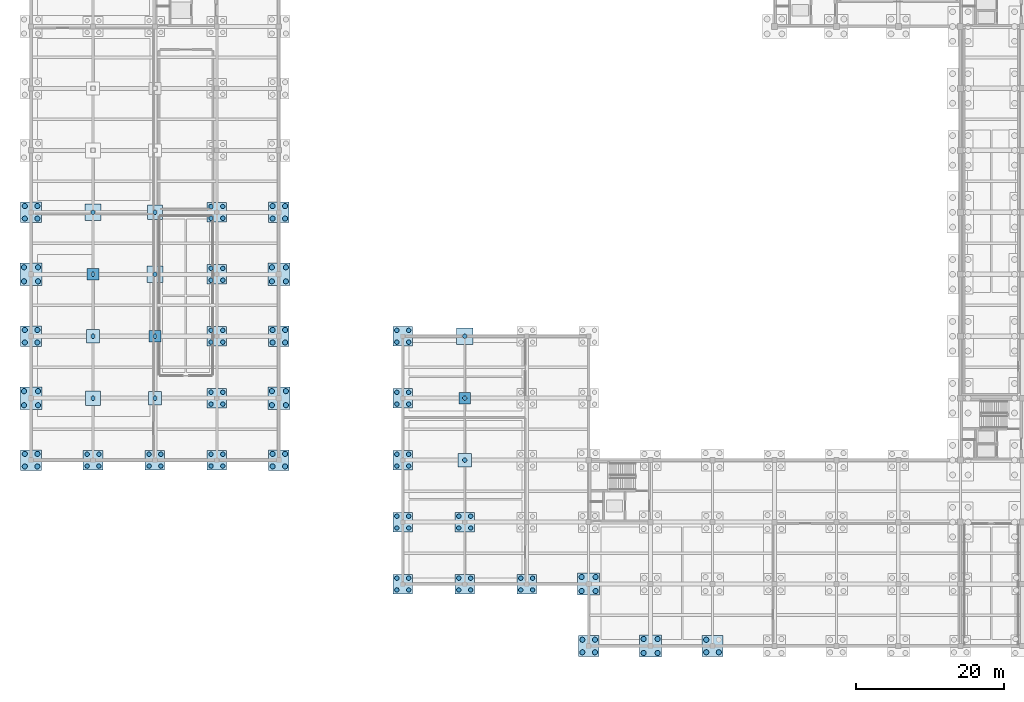
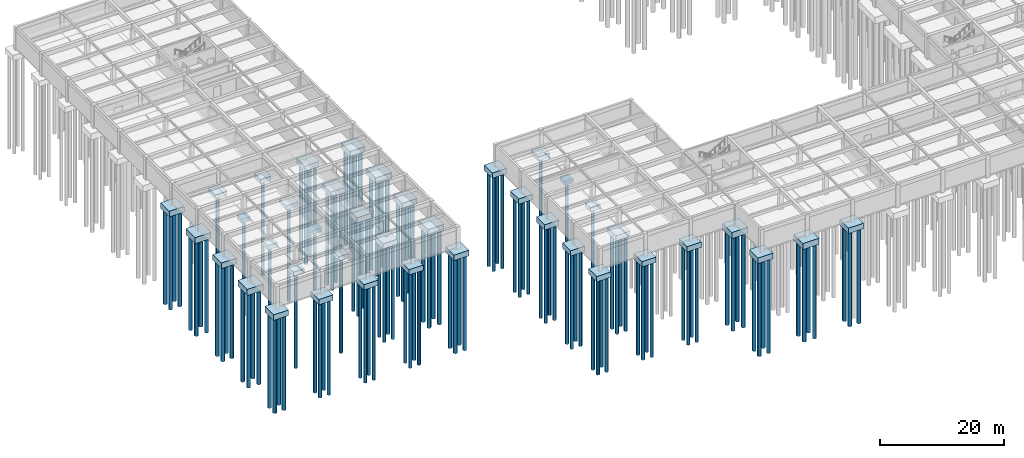
# One storey, part 1 of 33: 126 piles, 40 footings.
"""IFC4 building model written with IfcOpenShell, lengths in metres."""

from ifc_helpers import new_model, si_unit, direction, frame, origin, origin_2d, place, context, subcontext, project, spatial, rectangle, circle, extrude, material, material_profile, profile_set, type_object, element, save


model = new_model("IFC4")

# Units and contexts
model_context = context("Model", 3, precision=1e-05, world=origin(), true_north=direction((0.0, 1.0)))
body_context = subcontext(model_context, "Body", "Model", "MODEL_VIEW")
ifc_project = project(units=[si_unit("LENGTHUNIT", "METRE"), si_unit("AREAUNIT", "SQUARE_METRE"), si_unit("VOLUMEUNIT", "CUBIC_METRE"), si_unit("PLANEANGLEUNIT", "RADIAN"), si_unit("MASSUNIT", "GRAM", prefix="KILO")], contexts=[model_context])

# Site, building, storey
site_placement = place(None, origin())
site = spatial("IfcSite", under=ifc_project, at=site_placement, CompositionType="ELEMENT")
building_placement = place(site_placement, origin())
building = spatial("IfcBuilding", under=site, at=building_placement, Name="Kveldsbrygga Polytechnic", CompositionType="ELEMENT")
storey_placement = place(building_placement, frame((0.0, 0.0, -4.419921875)))
storey = spatial("IfcBuildingStorey", under=building, at=storey_placement, Name="B1", CompositionType="ELEMENT", Elevation=-4.419921875)

# Footings
ifc_material_1 = material(Name="Concrete C45/55", Category="concrete")
footing_type_1 = type_object("IfcFootingType", Name="PC-4P-CMP", PredefinedType="PILE_CAP", material=ifc_material_1)
for number, where, z_axis, x_axis, name in (
    (1, (8.39990234375, 25.199951171875, -1.4501953125), (0.0, 0.0, 1.0), (1.0, 0.0, 0.0), "Foundation FND-01-03"),
    (2, (16.800048828125, 25.199951171875, -1.4501953125), (0.0, 0.0, 1.0), (1.0, 0.0, 0.0), "Foundation FND-02-03"),
    (3, (25.199951171875, 25.199951171875, -1.4501953125), (0.0, 0.0, 1.0), (1.0, 0.0, 0.0), "Foundation FND-03-03"),
    (4, (25.199951171875, 33.60009765625, -1.4501953125), (0.0, 0.0, 1.0), (1.0, 0.0, 0.0), "Foundation FND-03-04"),
    (5, (25.199951171875, 42.0, -1.4501953125), (0.0, 0.0, 1.0), (1.0, 0.0, 0.0), "Foundation FND-03-05"),
    (6, (25.199951171875, 50.39990234375, -1.4501953125), (0.0, 0.0, 1.0), (1.0, 0.0, 0.0), "Foundation FND-03-06"),
    (7, (25.199951171875, 58.800048828125, -1.4501953125), (0.0, 0.0, 1.0), (1.0, 0.0, 0.0), "Foundation FND-03-07"),
    (8, (50.39990234375, 8.39990234375, -1.4501953125), (0.0, 0.0, 1.0), (1.0, 0.0, 0.0), "Foundation FND-06-01"),
    (9, (50.39990234375, 16.800048828125, -1.4501953125), (0.0, 0.0, 1.0), (1.0, 0.0, 0.0), "Foundation FND-06-02"),
    (10, (50.39990234375, 25.199951171875, -1.4501953125), (0.0, 0.0, 1.0), (1.0, 0.0, 0.0), "Foundation FND-06-03"),
    (11, (50.39990234375, 33.60009765625, -1.4501953125), (0.0, 0.0, 1.0), (1.0, 0.0, 0.0), "Foundation FND-06-04"),
    (12, (50.39990234375, 42.0, -1.4501953125), (0.0, 0.0, 1.0), (1.0, 0.0, 0.0), "Foundation FND-06-05"),
    (13, (58.800048828125, 8.39990234375, -1.4501953125), (0.0, 0.0, 1.0), (1.0, 0.0, 0.0), "Foundation FND-07-01"),
    (14, (58.800048828125, 16.800048828125, -1.4501953125), (0.0, 0.0, 1.0), (1.0, 0.0, 0.0), "Foundation FND-07-02"),
    (15, (67.199951171875, 8.39990234375, -1.4501953125), (0.0, 0.0, 1.0), (1.0, 0.0, 0.0), "Foundation FND-08-01"),
):
    element("IfcFooting", number, at=place(storey_placement, frame(where, z_axis=z_axis, x_axis=x_axis)), inside=storey, type_object=footing_type_1, Name=name, PredefinedType="PILE_CAP", context=body_context, shape_type="SweptSolid", body=[
        extrude(rectangle(XDim=2.64990234375, YDim=2.64990234375, at=origin_2d()), origin(), (0.0, 0.0, 1.0), 1.050048828125),
    ])
footing_type_2 = type_object("IfcFootingType", Name="PC-4P-MED", PredefinedType="PILE_CAP", material=ifc_material_1)
for number, where, z_axis, x_axis, name in (
    (16, (0.0, 25.199951171875, -1.500244140625), (0.0, 0.0, 1.0), (1.0, 0.0, 0.0), "Foundation FND-00-03"),
    (17, (0.0, 42.0, -1.500244140625), (0.0, 0.0, 1.0), (1.0, 0.0, 0.0), "Foundation FND-00-05"),
    (18, (0.0, 58.800048828125, -1.500244140625), (0.0, 0.0, 1.0), (1.0, 0.0, 0.0), "Foundation FND-00-07"),
    (19, (33.60009765625, 25.199951171875, -1.500244140625), (0.0, 0.0, 1.0), (1.0, 0.0, 0.0), "Foundation FND-04-03"),
    (20, (33.60009765625, 42.0, -1.500244140625), (0.0, 0.0, 1.0), (1.0, 0.0, 0.0), "Foundation FND-04-05"),
    (21, (33.60009765625, 58.800048828125, -1.500244140625), (0.0, 0.0, 1.0), (1.0, 0.0, 0.0), "Foundation FND-04-07"),
    (22, (75.60009765625, 0.0, -1.500244140625), (0.0, 0.0, 1.0), (1.0, 0.0, 0.0), "Foundation FND-09-00"),
    (23, (92.39990234375, 0.0, -1.500244140625), (0.0, 0.0, 1.0), (1.0, 0.0, 0.0), "Foundation FND-11-00"),
):
    element("IfcFooting", number, at=place(storey_placement, frame(where, z_axis=z_axis, x_axis=x_axis)), inside=storey, type_object=footing_type_2, Name=name, PredefinedType="PILE_CAP", context=body_context, shape_type="SweptSolid", body=[
        extrude(rectangle(XDim=2.800048828125, YDim=2.800048828125, at=origin_2d()), origin(), (0.0, 0.0, 1.0), 1.10009765625),
    ])
footing_type_3 = type_object("IfcFootingType", Name="PC-4P-STD", PredefinedType="PILE_CAP", material=ifc_material_1)
for number, where, z_axis, x_axis, name in (
    (24, (0.0, 33.60009765625, -1.60009765625), (0.0, 0.0, 1.0), (1.0, 0.0, 0.0), "Foundation FND-00-04"),
    (25, (0.0, 50.39990234375, -1.60009765625), (0.0, 0.0, 1.0), (1.0, 0.0, 0.0), "Foundation FND-00-06"),
    (26, (33.60009765625, 33.60009765625, -1.60009765625), (0.0, 0.0, 1.0), (1.0, 0.0, 0.0), "Foundation FND-04-04"),
    (27, (33.60009765625, 50.39990234375, -1.60009765625), (0.0, 0.0, 1.0), (1.0, 0.0, 0.0), "Foundation FND-04-06"),
    (28, (75.60009765625, 8.39990234375, -1.60009765625), (0.0, 0.0, 1.0), (1.0, 0.0, 0.0), "Foundation FND-09-01"),
    (29, (84.0, 0.0, -1.60009765625), (0.0, 0.0, 1.0), (1.0, 0.0, 0.0), "Foundation FND-10-00"),
):
    element("IfcFooting", number, at=place(storey_placement, frame(where, z_axis=z_axis, x_axis=x_axis)), inside=storey, type_object=footing_type_3, Name=name, PredefinedType="PILE_CAP", context=body_context, shape_type="SweptSolid", body=[
        extrude(rectangle(XDim=3.0, YDim=3.0, at=origin_2d()), origin(), (0.0, 0.0, 1.0), 1.199951171875),
    ])
ifc_material_2 = material(Name="Concrete C35/45", Category="concrete")
footing_type_4 = type_object("IfcFootingType", Name="PF-ARCADE-A", PredefinedType="PAD_FOOTING", material=ifc_material_2)
for number, where, z_axis, x_axis, name in (
    (30, (8.39990234375, 58.800048828125, -1.2001953125), (0.0, 0.0, 1.0), (1.0, 0.0, 0.0), "Foundation FND-01-07"),
    (31, (16.800048828125, 50.39990234375, -1.2001953125), (0.0, 0.0, 1.0), (1.0, 0.0, 0.0), "Foundation FND-02-06"),
    (32, (58.800048828125, 42.0, -1.2001953125), (0.0, 0.0, 1.0), (1.0, 0.0, 0.0), "Foundation FND-07-05"),
):
    element("IfcFooting", number, at=place(storey_placement, frame(where, z_axis=z_axis, x_axis=x_axis)), inside=storey, type_object=footing_type_4, Name=name, PredefinedType="PAD_FOOTING", context=body_context, shape_type="SweptSolid", body=[
        extrude(rectangle(XDim=2.199951171875, YDim=2.199951171875, at=origin_2d()), origin(), (0.0, 0.0, 1.0), 0.800048828125),
    ])
footing_type_5 = type_object("IfcFootingType", Name="PF-ARCADE-B", PredefinedType="PAD_FOOTING", material=ifc_material_2)
for number, where, z_axis, x_axis, name in (
    (33, (8.39990234375, 42.0, -1.250244140625), (0.0, 0.0, 1.0), (1.0, 0.0, 0.0), "Foundation FND-01-05"),
    (34, (16.800048828125, 33.60009765625, -1.250244140625), (0.0, 0.0, 1.0), (1.0, 0.0, 0.0), "Foundation FND-02-04"),
    (35, (58.800048828125, 25.199951171875, -1.250244140625), (0.0, 0.0, 1.0), (1.0, 0.0, 0.0), "Foundation FND-07-03"),
):
    element("IfcFooting", number, at=place(storey_placement, frame(where, z_axis=z_axis, x_axis=x_axis)), inside=storey, type_object=footing_type_5, Name=name, PredefinedType="PAD_FOOTING", context=body_context, shape_type="SweptSolid", body=[
        extrude(rectangle(XDim=1.800048828125, YDim=1.800048828125, at=origin_2d()), origin(), (0.0, 0.0, 1.0), 0.85009765625),
    ])
footing_type_6 = type_object("IfcFootingType", Name="PF-ARCADE-C", PredefinedType="PAD_FOOTING", material=ifc_material_2)
for number, where, z_axis, x_axis, name in (
    (36, (8.39990234375, 33.60009765625, -1.300048828125), (0.0, 0.0, 1.0), (1.0, 0.0, 0.0), "Foundation FND-01-04"),
    (37, (16.800048828125, 58.800048828125, -1.300048828125), (0.0, 0.0, 1.0), (1.0, 0.0, 0.0), "Foundation FND-02-07"),
):
    element("IfcFooting", number, at=place(storey_placement, frame(where, z_axis=z_axis, x_axis=x_axis)), inside=storey, type_object=footing_type_6, Name=name, PredefinedType="PAD_FOOTING", context=body_context, shape_type="SweptSolid", body=[
        extrude(rectangle(XDim=2.0, YDim=2.0, at=origin_2d()), origin(), (0.0, 0.0, 1.0), 0.89990234375),
    ])
footing_type_7 = type_object("IfcFootingType", Name="PF-ARCADE-D", PredefinedType="PAD_FOOTING", material=ifc_material_2)
for number, where, z_axis, x_axis, name in (
    (38, (8.39990234375, 50.39990234375, -1.22021484375), (0.0, 0.0, 1.0), (1.0, 0.0, 0.0), "Foundation FND-01-06"),
    (39, (16.800048828125, 42.0, -1.22021484375), (0.0, 0.0, 1.0), (1.0, 0.0, 0.0), "Foundation FND-02-05"),
    (40, (58.800048828125, 33.60009765625, -1.22021484375), (0.0, 0.0, 1.0), (1.0, 0.0, 0.0), "Foundation FND-07-04"),
):
    element("IfcFooting", number, at=place(storey_placement, frame(where, z_axis=z_axis, x_axis=x_axis)), inside=storey, type_object=footing_type_7, Name=name, PredefinedType="PAD_FOOTING", context=body_context, shape_type="SweptSolid", body=[
        extrude(rectangle(XDim=1.60009765625, YDim=1.60009765625, at=origin_2d()), origin(), (0.0, 0.0, 1.0), 0.820068359375),
    ])

# Piles
ifc_material_profile_1 = material_profile(ifc_material_1, circle(Radius=0.300048828125, at=origin_2d()), Name="PILE D600")
ifc_profile_set_1 = profile_set([ifc_material_profile_1], Name="Concrete C45/55")
pile_type_1 = type_object("IfcPileType", Name="PILE-D600", PredefinedType="BORED", material=ifc_profile_set_1)
for number, where, z_axis, x_axis, name in (
    (41, (7.60009765625, 24.39990234375, -1.300048828125), (0.0, 0.0, -1.0), (1.0, 0.0, 0.0), "Bored Pile PIL-01-03-1"),
    (42, (9.199951171875, 24.39990234375, -1.300048828125), (0.0, 0.0, -1.0), (1.0, 0.0, 0.0), "Bored Pile PIL-01-03-2"),
    (43, (7.60009765625, 26.0, -1.300048828125), (0.0, 0.0, -1.0), (1.0, 0.0, 0.0), "Bored Pile PIL-01-03-3"),
    (44, (9.199951171875, 26.0, -1.300048828125), (0.0, 0.0, -1.0), (1.0, 0.0, 0.0), "Bored Pile PIL-01-03-4"),
):
    element("IfcPile", number, at=place(storey_placement, frame(where, z_axis=z_axis, x_axis=x_axis)), inside=storey, type_object=pile_type_1, Name=name, PredefinedType="BORED", context=body_context, shape_type="SweptSolid", body=[
        extrude(circle(Radius=0.300048828125, at=origin_2d()), origin(), (0.0, 0.0, 1.0), 18.780029296875),
    ])
pile_1_placement = place(storey_placement, frame((8.39990234375, 33.60009765625, -1.150146484375), z_axis=(0.0, 0.0, -1.0), x_axis=(1.0, 0.0, 0.0)))
element("IfcPile", 45, at=pile_1_placement, inside=storey, type_object=pile_type_1, Name="Bored Pile PIL-01-04-1", PredefinedType="BORED", context=body_context, shape_type="SweptSolid", body=[
    extrude(circle(Radius=0.300048828125, at=origin_2d()), origin(), (0.0, 0.0, 1.0), 18.929931640625),
])
pile_2_placement = place(storey_placement, frame((8.39990234375, 42.0, -1.10009765625), z_axis=(0.0, 0.0, -1.0), x_axis=(1.0, 0.0, 0.0)))
element("IfcPile", 46, at=pile_2_placement, inside=storey, type_object=pile_type_1, Name="Bored Pile PIL-01-05-1", PredefinedType="BORED", context=body_context, shape_type="SweptSolid", body=[
    extrude(circle(Radius=0.300048828125, at=origin_2d()), origin(), (0.0, 0.0, 1.0), 18.97998046875),
])
pile_3_placement = place(storey_placement, frame((8.39990234375, 50.39990234375, -1.070068359375), z_axis=(0.0, 0.0, -1.0), x_axis=(1.0, 0.0, 0.0)))
element("IfcPile", 47, at=pile_3_placement, inside=storey, type_object=pile_type_1, Name="Bored Pile PIL-01-06-1", PredefinedType="BORED", context=body_context, shape_type="SweptSolid", body=[
    extrude(circle(Radius=0.300048828125, at=origin_2d()), origin(), (0.0, 0.0, 1.0), 19.010009765625),
])
pile_4_placement = place(storey_placement, frame((8.39990234375, 58.800048828125, -1.050048828125), z_axis=(0.0, 0.0, -1.0), x_axis=(1.0, 0.0, 0.0)))
element("IfcPile", 48, at=pile_4_placement, inside=storey, type_object=pile_type_1, Name="Bored Pile PIL-01-07-1", PredefinedType="BORED", context=body_context, shape_type="SweptSolid", body=[
    extrude(circle(Radius=0.300048828125, at=origin_2d()), origin(), (0.0, 0.0, 1.0), 19.030029296875),
])
for number, where, z_axis, x_axis, name in (
    (49, (16.0, 24.39990234375, -1.300048828125), (0.0, 0.0, -1.0), (1.0, 0.0, 0.0), "Bored Pile PIL-02-03-1"),
    (50, (17.60009765625, 24.39990234375, -1.300048828125), (0.0, 0.0, -1.0), (1.0, 0.0, 0.0), "Bored Pile PIL-02-03-2"),
    (51, (16.0, 26.0, -1.300048828125), (0.0, 0.0, -1.0), (1.0, 0.0, 0.0), "Bored Pile PIL-02-03-3"),
    (52, (17.60009765625, 26.0, -1.300048828125), (0.0, 0.0, -1.0), (1.0, 0.0, 0.0), "Bored Pile PIL-02-03-4"),
):
    element("IfcPile", number, at=place(storey_placement, frame(where, z_axis=z_axis, x_axis=x_axis)), inside=storey, type_object=pile_type_1, Name=name, PredefinedType="BORED", context=body_context, shape_type="SweptSolid", body=[
        extrude(circle(Radius=0.300048828125, at=origin_2d()), origin(), (0.0, 0.0, 1.0), 18.780029296875),
    ])
pile_5_placement = place(storey_placement, frame((16.800048828125, 33.60009765625, -1.10009765625), z_axis=(0.0, 0.0, -1.0), x_axis=(1.0, 0.0, 0.0)))
element("IfcPile", 53, at=pile_5_placement, inside=storey, type_object=pile_type_1, Name="Bored Pile PIL-02-04-1", PredefinedType="BORED", context=body_context, shape_type="SweptSolid", body=[
    extrude(circle(Radius=0.300048828125, at=origin_2d()), origin(), (0.0, 0.0, 1.0), 18.97998046875),
])
pile_6_placement = place(storey_placement, frame((16.800048828125, 42.0, -1.070068359375), z_axis=(0.0, 0.0, -1.0), x_axis=(1.0, 0.0, 0.0)))
element("IfcPile", 54, at=pile_6_placement, inside=storey, type_object=pile_type_1, Name="Bored Pile PIL-02-05-1", PredefinedType="BORED", context=body_context, shape_type="SweptSolid", body=[
    extrude(circle(Radius=0.300048828125, at=origin_2d()), origin(), (0.0, 0.0, 1.0), 19.010009765625),
])
pile_7_placement = place(storey_placement, frame((16.800048828125, 50.39990234375, -1.050048828125), z_axis=(0.0, 0.0, -1.0), x_axis=(1.0, 0.0, 0.0)))
element("IfcPile", 55, at=pile_7_placement, inside=storey, type_object=pile_type_1, Name="Bored Pile PIL-02-06-1", PredefinedType="BORED", context=body_context, shape_type="SweptSolid", body=[
    extrude(circle(Radius=0.300048828125, at=origin_2d()), origin(), (0.0, 0.0, 1.0), 19.030029296875),
])
pile_8_placement = place(storey_placement, frame((16.800048828125, 58.800048828125, -1.150146484375), z_axis=(0.0, 0.0, -1.0), x_axis=(1.0, 0.0, 0.0)))
element("IfcPile", 56, at=pile_8_placement, inside=storey, type_object=pile_type_1, Name="Bored Pile PIL-02-07-1", PredefinedType="BORED", context=body_context, shape_type="SweptSolid", body=[
    extrude(circle(Radius=0.300048828125, at=origin_2d()), origin(), (0.0, 0.0, 1.0), 18.929931640625),
])
for number, where, z_axis, x_axis, name in (
    (57, (24.39990234375, 24.39990234375, -1.300048828125), (0.0, 0.0, -1.0), (1.0, 0.0, 0.0), "Bored Pile PIL-03-03-1"),
    (58, (26.0, 24.39990234375, -1.300048828125), (0.0, 0.0, -1.0), (1.0, 0.0, 0.0), "Bored Pile PIL-03-03-2"),
    (59, (24.39990234375, 26.0, -1.300048828125), (0.0, 0.0, -1.0), (1.0, 0.0, 0.0), "Bored Pile PIL-03-03-3"),
    (60, (26.0, 26.0, -1.300048828125), (0.0, 0.0, -1.0), (1.0, 0.0, 0.0), "Bored Pile PIL-03-03-4"),
    (61, (24.39990234375, 32.800048828125, -1.300048828125), (0.0, 0.0, -1.0), (1.0, 0.0, 0.0), "Bored Pile PIL-03-04-1"),
    (62, (26.0, 32.800048828125, -1.300048828125), (0.0, 0.0, -1.0), (1.0, 0.0, 0.0), "Bored Pile PIL-03-04-2"),
    (63, (24.39990234375, 34.39990234375, -1.300048828125), (0.0, 0.0, -1.0), (1.0, 0.0, 0.0), "Bored Pile PIL-03-04-3"),
    (64, (26.0, 34.39990234375, -1.300048828125), (0.0, 0.0, -1.0), (1.0, 0.0, 0.0), "Bored Pile PIL-03-04-4"),
    (65, (24.39990234375, 41.199951171875, -1.300048828125), (0.0, 0.0, -1.0), (1.0, 0.0, 0.0), "Bored Pile PIL-03-05-1"),
    (66, (26.0, 41.199951171875, -1.300048828125), (0.0, 0.0, -1.0), (1.0, 0.0, 0.0), "Bored Pile PIL-03-05-2"),
    (67, (24.39990234375, 42.800048828125, -1.300048828125), (0.0, 0.0, -1.0), (1.0, 0.0, 0.0), "Bored Pile PIL-03-05-3"),
    (68, (26.0, 42.800048828125, -1.300048828125), (0.0, 0.0, -1.0), (1.0, 0.0, 0.0), "Bored Pile PIL-03-05-4"),
    (69, (24.39990234375, 49.60009765625, -1.300048828125), (0.0, 0.0, -1.0), (1.0, 0.0, 0.0), "Bored Pile PIL-03-06-1"),
    (70, (26.0, 49.60009765625, -1.300048828125), (0.0, 0.0, -1.0), (1.0, 0.0, 0.0), "Bored Pile PIL-03-06-2"),
    (71, (24.39990234375, 51.199951171875, -1.300048828125), (0.0, 0.0, -1.0), (1.0, 0.0, 0.0), "Bored Pile PIL-03-06-3"),
    (72, (26.0, 51.199951171875, -1.300048828125), (0.0, 0.0, -1.0), (1.0, 0.0, 0.0), "Bored Pile PIL-03-06-4"),
    (73, (24.39990234375, 58.0, -1.300048828125), (0.0, 0.0, -1.0), (1.0, 0.0, 0.0), "Bored Pile PIL-03-07-1"),
    (74, (26.0, 58.0, -1.300048828125), (0.0, 0.0, -1.0), (1.0, 0.0, 0.0), "Bored Pile PIL-03-07-2"),
    (75, (24.39990234375, 59.60009765625, -1.300048828125), (0.0, 0.0, -1.0), (1.0, 0.0, 0.0), "Bored Pile PIL-03-07-3"),
    (76, (26.0, 59.60009765625, -1.300048828125), (0.0, 0.0, -1.0), (1.0, 0.0, 0.0), "Bored Pile PIL-03-07-4"),
    (77, (49.60009765625, 7.60009765625, -1.300048828125), (0.0, 0.0, -1.0), (1.0, 0.0, 0.0), "Bored Pile PIL-06-01-1"),
    (78, (51.199951171875, 7.60009765625, -1.300048828125), (0.0, 0.0, -1.0), (1.0, 0.0, 0.0), "Bored Pile PIL-06-01-2"),
    (79, (49.60009765625, 9.199951171875, -1.300048828125), (0.0, 0.0, -1.0), (1.0, 0.0, 0.0), "Bored Pile PIL-06-01-3"),
    (80, (51.199951171875, 9.199951171875, -1.300048828125), (0.0, 0.0, -1.0), (1.0, 0.0, 0.0), "Bored Pile PIL-06-01-4"),
    (81, (49.60009765625, 16.0, -1.300048828125), (0.0, 0.0, -1.0), (1.0, 0.0, 0.0), "Bored Pile PIL-06-02-1"),
    (82, (51.199951171875, 16.0, -1.300048828125), (0.0, 0.0, -1.0), (1.0, 0.0, 0.0), "Bored Pile PIL-06-02-2"),
    (83, (49.60009765625, 17.60009765625, -1.300048828125), (0.0, 0.0, -1.0), (1.0, 0.0, 0.0), "Bored Pile PIL-06-02-3"),
    (84, (51.199951171875, 17.60009765625, -1.300048828125), (0.0, 0.0, -1.0), (1.0, 0.0, 0.0), "Bored Pile PIL-06-02-4"),
    (85, (49.60009765625, 24.39990234375, -1.300048828125), (0.0, 0.0, -1.0), (1.0, 0.0, 0.0), "Bored Pile PIL-06-03-1"),
    (86, (51.199951171875, 24.39990234375, -1.300048828125), (0.0, 0.0, -1.0), (1.0, 0.0, 0.0), "Bored Pile PIL-06-03-2"),
    (87, (49.60009765625, 26.0, -1.300048828125), (0.0, 0.0, -1.0), (1.0, 0.0, 0.0), "Bored Pile PIL-06-03-3"),
    (88, (51.199951171875, 26.0, -1.300048828125), (0.0, 0.0, -1.0), (1.0, 0.0, 0.0), "Bored Pile PIL-06-03-4"),
    (89, (49.60009765625, 32.800048828125, -1.300048828125), (0.0, 0.0, -1.0), (1.0, 0.0, 0.0), "Bored Pile PIL-06-04-1"),
    (90, (51.199951171875, 32.800048828125, -1.300048828125), (0.0, 0.0, -1.0), (1.0, 0.0, 0.0), "Bored Pile PIL-06-04-2"),
    (91, (49.60009765625, 34.39990234375, -1.300048828125), (0.0, 0.0, -1.0), (1.0, 0.0, 0.0), "Bored Pile PIL-06-04-3"),
    (92, (51.199951171875, 34.39990234375, -1.300048828125), (0.0, 0.0, -1.0), (1.0, 0.0, 0.0), "Bored Pile PIL-06-04-4"),
    (93, (49.60009765625, 41.199951171875, -1.300048828125), (0.0, 0.0, -1.0), (1.0, 0.0, 0.0), "Bored Pile PIL-06-05-1"),
    (94, (51.199951171875, 41.199951171875, -1.300048828125), (0.0, 0.0, -1.0), (1.0, 0.0, 0.0), "Bored Pile PIL-06-05-2"),
    (95, (49.60009765625, 42.800048828125, -1.300048828125), (0.0, 0.0, -1.0), (1.0, 0.0, 0.0), "Bored Pile PIL-06-05-3"),
    (96, (51.199951171875, 42.800048828125, -1.300048828125), (0.0, 0.0, -1.0), (1.0, 0.0, 0.0), "Bored Pile PIL-06-05-4"),
    (97, (58.0, 7.60009765625, -1.300048828125), (0.0, 0.0, -1.0), (1.0, 0.0, 0.0), "Bored Pile PIL-07-01-1"),
    (98, (59.60009765625, 7.60009765625, -1.300048828125), (0.0, 0.0, -1.0), (1.0, 0.0, 0.0), "Bored Pile PIL-07-01-2"),
    (99, (58.0, 9.199951171875, -1.300048828125), (0.0, 0.0, -1.0), (1.0, 0.0, 0.0), "Bored Pile PIL-07-01-3"),
    (100, (59.60009765625, 9.199951171875, -1.300048828125), (0.0, 0.0, -1.0), (1.0, 0.0, 0.0), "Bored Pile PIL-07-01-4"),
    (101, (58.0, 16.0, -1.300048828125), (0.0, 0.0, -1.0), (1.0, 0.0, 0.0), "Bored Pile PIL-07-02-1"),
    (102, (59.60009765625, 16.0, -1.300048828125), (0.0, 0.0, -1.0), (1.0, 0.0, 0.0), "Bored Pile PIL-07-02-2"),
    (103, (58.0, 17.60009765625, -1.300048828125), (0.0, 0.0, -1.0), (1.0, 0.0, 0.0), "Bored Pile PIL-07-02-3"),
    (104, (59.60009765625, 17.60009765625, -1.300048828125), (0.0, 0.0, -1.0), (1.0, 0.0, 0.0), "Bored Pile PIL-07-02-4"),
):
    element("IfcPile", number, at=place(storey_placement, frame(where, z_axis=z_axis, x_axis=x_axis)), inside=storey, type_object=pile_type_1, Name=name, PredefinedType="BORED", context=body_context, shape_type="SweptSolid", body=[
        extrude(circle(Radius=0.300048828125, at=origin_2d()), origin(), (0.0, 0.0, 1.0), 18.780029296875),
    ])
pile_9_placement = place(storey_placement, frame((58.800048828125, 25.199951171875, -1.10009765625), z_axis=(0.0, 0.0, -1.0), x_axis=(1.0, 0.0, 0.0)))
element("IfcPile", 105, at=pile_9_placement, inside=storey, type_object=pile_type_1, Name="Bored Pile PIL-07-03-1", PredefinedType="BORED", context=body_context, shape_type="SweptSolid", body=[
    extrude(circle(Radius=0.300048828125, at=origin_2d()), origin(), (0.0, 0.0, 1.0), 18.97998046875),
])
pile_10_placement = place(storey_placement, frame((58.800048828125, 33.60009765625, -1.070068359375), z_axis=(0.0, 0.0, -1.0), x_axis=(1.0, 0.0, 0.0)))
element("IfcPile", 106, at=pile_10_placement, inside=storey, type_object=pile_type_1, Name="Bored Pile PIL-07-04-1", PredefinedType="BORED", context=body_context, shape_type="SweptSolid", body=[
    extrude(circle(Radius=0.300048828125, at=origin_2d()), origin(), (0.0, 0.0, 1.0), 19.010009765625),
])
pile_11_placement = place(storey_placement, frame((58.800048828125, 42.0, -1.050048828125), z_axis=(0.0, 0.0, -1.0), x_axis=(1.0, 0.0, 0.0)))
element("IfcPile", 107, at=pile_11_placement, inside=storey, type_object=pile_type_1, Name="Bored Pile PIL-07-05-1", PredefinedType="BORED", context=body_context, shape_type="SweptSolid", body=[
    extrude(circle(Radius=0.300048828125, at=origin_2d()), origin(), (0.0, 0.0, 1.0), 19.030029296875),
])
for number, where, z_axis, x_axis, name in (
    (108, (66.39990234375, 7.60009765625, -1.300048828125), (0.0, 0.0, -1.0), (1.0, 0.0, 0.0), "Bored Pile PIL-08-01-1"),
    (109, (68.0, 7.60009765625, -1.300048828125), (0.0, 0.0, -1.0), (1.0, 0.0, 0.0), "Bored Pile PIL-08-01-2"),
    (110, (66.39990234375, 9.199951171875, -1.300048828125), (0.0, 0.0, -1.0), (1.0, 0.0, 0.0), "Bored Pile PIL-08-01-3"),
    (111, (68.0, 9.199951171875, -1.300048828125), (0.0, 0.0, -1.0), (1.0, 0.0, 0.0), "Bored Pile PIL-08-01-4"),
):
    element("IfcPile", number, at=place(storey_placement, frame(where, z_axis=z_axis, x_axis=x_axis)), inside=storey, type_object=pile_type_1, Name=name, PredefinedType="BORED", context=body_context, shape_type="SweptSolid", body=[
        extrude(circle(Radius=0.300048828125, at=origin_2d()), origin(), (0.0, 0.0, 1.0), 18.780029296875),
    ])
ifc_material_profile_2 = material_profile(ifc_material_1, circle(Radius=0.35009765625, at=origin_2d()), Name="PILE D700")
ifc_profile_set_2 = profile_set([ifc_material_profile_2], Name="Concrete C45/55")
pile_type_2 = type_object("IfcPileType", Name="PILE-D700", PredefinedType="BORED", material=ifc_profile_set_2)
for number, where, z_axis, x_axis, name in (
    (112, (-0.85009765625, 24.35009765625, -1.35009765625), (0.0, 0.0, -1.0), (1.0, 0.0, 0.0), "Bored Pile PIL-00-03-1"),
    (113, (0.85009765625, 24.35009765625, -1.35009765625), (0.0, 0.0, -1.0), (1.0, 0.0, 0.0), "Bored Pile PIL-00-03-2"),
    (114, (-0.85009765625, 26.050048828125, -1.35009765625), (0.0, 0.0, -1.0), (1.0, 0.0, 0.0), "Bored Pile PIL-00-03-3"),
    (115, (0.85009765625, 26.050048828125, -1.35009765625), (0.0, 0.0, -1.0), (1.0, 0.0, 0.0), "Bored Pile PIL-00-03-4"),
):
    element("IfcPile", number, at=place(storey_placement, frame(where, z_axis=z_axis, x_axis=x_axis)), inside=storey, type_object=pile_type_2, Name=name, PredefinedType="BORED", context=body_context, shape_type="SweptSolid", body=[
        extrude(circle(Radius=0.35009765625, at=origin_2d()), origin(), (0.0, 0.0, 1.0), 18.72998046875),
    ])
for number, where, z_axis, x_axis, name in (
    (116, (-0.949951171875, 32.64990234375, -1.4501953125), (0.0, 0.0, -1.0), (1.0, 0.0, 0.0), "Bored Pile PIL-00-04-1"),
    (117, (0.949951171875, 32.64990234375, -1.4501953125), (0.0, 0.0, -1.0), (1.0, 0.0, 0.0), "Bored Pile PIL-00-04-2"),
    (118, (-0.949951171875, 34.550048828125, -1.4501953125), (0.0, 0.0, -1.0), (1.0, 0.0, 0.0), "Bored Pile PIL-00-04-3"),
    (119, (0.949951171875, 34.550048828125, -1.4501953125), (0.0, 0.0, -1.0), (1.0, 0.0, 0.0), "Bored Pile PIL-00-04-4"),
):
    element("IfcPile", number, at=place(storey_placement, frame(where, z_axis=z_axis, x_axis=x_axis)), inside=storey, type_object=pile_type_2, Name=name, PredefinedType="BORED", context=body_context, shape_type="SweptSolid", body=[
        extrude(circle(Radius=0.35009765625, at=origin_2d()), origin(), (0.0, 0.0, 1.0), 18.6298828125),
    ])
for number, where, z_axis, x_axis, name in (
    (120, (-0.85009765625, 41.14990234375, -1.35009765625), (0.0, 0.0, -1.0), (1.0, 0.0, 0.0), "Bored Pile PIL-00-05-1"),
    (121, (0.85009765625, 41.14990234375, -1.35009765625), (0.0, 0.0, -1.0), (1.0, 0.0, 0.0), "Bored Pile PIL-00-05-2"),
    (122, (-0.85009765625, 42.85009765625, -1.35009765625), (0.0, 0.0, -1.0), (1.0, 0.0, 0.0), "Bored Pile PIL-00-05-3"),
    (123, (0.85009765625, 42.85009765625, -1.35009765625), (0.0, 0.0, -1.0), (1.0, 0.0, 0.0), "Bored Pile PIL-00-05-4"),
):
    element("IfcPile", number, at=place(storey_placement, frame(where, z_axis=z_axis, x_axis=x_axis)), inside=storey, type_object=pile_type_2, Name=name, PredefinedType="BORED", context=body_context, shape_type="SweptSolid", body=[
        extrude(circle(Radius=0.35009765625, at=origin_2d()), origin(), (0.0, 0.0, 1.0), 18.72998046875),
    ])
for number, where, z_axis, x_axis, name in (
    (124, (-0.949951171875, 49.449951171875, -1.4501953125), (0.0, 0.0, -1.0), (1.0, 0.0, 0.0), "Bored Pile PIL-00-06-1"),
    (125, (0.949951171875, 49.449951171875, -1.4501953125), (0.0, 0.0, -1.0), (1.0, 0.0, 0.0), "Bored Pile PIL-00-06-2"),
    (126, (-0.949951171875, 51.35009765625, -1.4501953125), (0.0, 0.0, -1.0), (1.0, 0.0, 0.0), "Bored Pile PIL-00-06-3"),
    (127, (0.949951171875, 51.35009765625, -1.4501953125), (0.0, 0.0, -1.0), (1.0, 0.0, 0.0), "Bored Pile PIL-00-06-4"),
):
    element("IfcPile", number, at=place(storey_placement, frame(where, z_axis=z_axis, x_axis=x_axis)), inside=storey, type_object=pile_type_2, Name=name, PredefinedType="BORED", context=body_context, shape_type="SweptSolid", body=[
        extrude(circle(Radius=0.35009765625, at=origin_2d()), origin(), (0.0, 0.0, 1.0), 18.6298828125),
    ])
for number, where, z_axis, x_axis, name in (
    (128, (-0.85009765625, 57.949951171875, -1.35009765625), (0.0, 0.0, -1.0), (1.0, 0.0, 0.0), "Bored Pile PIL-00-07-1"),
    (129, (0.85009765625, 57.949951171875, -1.35009765625), (0.0, 0.0, -1.0), (1.0, 0.0, 0.0), "Bored Pile PIL-00-07-2"),
    (130, (-0.85009765625, 59.64990234375, -1.35009765625), (0.0, 0.0, -1.0), (1.0, 0.0, 0.0), "Bored Pile PIL-00-07-3"),
    (131, (0.85009765625, 59.64990234375, -1.35009765625), (0.0, 0.0, -1.0), (1.0, 0.0, 0.0), "Bored Pile PIL-00-07-4"),
    (132, (32.75, 24.35009765625, -1.35009765625), (0.0, 0.0, -1.0), (1.0, 0.0, 0.0), "Bored Pile PIL-04-03-1"),
    (133, (34.449951171875, 24.35009765625, -1.35009765625), (0.0, 0.0, -1.0), (1.0, 0.0, 0.0), "Bored Pile PIL-04-03-2"),
    (134, (32.75, 26.050048828125, -1.35009765625), (0.0, 0.0, -1.0), (1.0, 0.0, 0.0), "Bored Pile PIL-04-03-3"),
    (135, (34.449951171875, 26.050048828125, -1.35009765625), (0.0, 0.0, -1.0), (1.0, 0.0, 0.0), "Bored Pile PIL-04-03-4"),
):
    element("IfcPile", number, at=place(storey_placement, frame(where, z_axis=z_axis, x_axis=x_axis)), inside=storey, type_object=pile_type_2, Name=name, PredefinedType="BORED", context=body_context, shape_type="SweptSolid", body=[
        extrude(circle(Radius=0.35009765625, at=origin_2d()), origin(), (0.0, 0.0, 1.0), 18.72998046875),
    ])
for number, where, z_axis, x_axis, name in (
    (136, (32.64990234375, 32.64990234375, -1.4501953125), (0.0, 0.0, -1.0), (1.0, 0.0, 0.0), "Bored Pile PIL-04-04-1"),
    (137, (34.550048828125, 32.64990234375, -1.4501953125), (0.0, 0.0, -1.0), (1.0, 0.0, 0.0), "Bored Pile PIL-04-04-2"),
    (138, (32.64990234375, 34.550048828125, -1.4501953125), (0.0, 0.0, -1.0), (1.0, 0.0, 0.0), "Bored Pile PIL-04-04-3"),
    (139, (34.550048828125, 34.550048828125, -1.4501953125), (0.0, 0.0, -1.0), (1.0, 0.0, 0.0), "Bored Pile PIL-04-04-4"),
):
    element("IfcPile", number, at=place(storey_placement, frame(where, z_axis=z_axis, x_axis=x_axis)), inside=storey, type_object=pile_type_2, Name=name, PredefinedType="BORED", context=body_context, shape_type="SweptSolid", body=[
        extrude(circle(Radius=0.35009765625, at=origin_2d()), origin(), (0.0, 0.0, 1.0), 18.6298828125),
    ])
for number, where, z_axis, x_axis, name in (
    (140, (32.75, 41.14990234375, -1.35009765625), (0.0, 0.0, -1.0), (1.0, 0.0, 0.0), "Bored Pile PIL-04-05-1"),
    (141, (34.449951171875, 41.14990234375, -1.35009765625), (0.0, 0.0, -1.0), (1.0, 0.0, 0.0), "Bored Pile PIL-04-05-2"),
    (142, (32.75, 42.85009765625, -1.35009765625), (0.0, 0.0, -1.0), (1.0, 0.0, 0.0), "Bored Pile PIL-04-05-3"),
    (143, (34.449951171875, 42.85009765625, -1.35009765625), (0.0, 0.0, -1.0), (1.0, 0.0, 0.0), "Bored Pile PIL-04-05-4"),
):
    element("IfcPile", number, at=place(storey_placement, frame(where, z_axis=z_axis, x_axis=x_axis)), inside=storey, type_object=pile_type_2, Name=name, PredefinedType="BORED", context=body_context, shape_type="SweptSolid", body=[
        extrude(circle(Radius=0.35009765625, at=origin_2d()), origin(), (0.0, 0.0, 1.0), 18.72998046875),
    ])
for number, where, z_axis, x_axis, name in (
    (144, (32.64990234375, 49.449951171875, -1.4501953125), (0.0, 0.0, -1.0), (1.0, 0.0, 0.0), "Bored Pile PIL-04-06-1"),
    (145, (34.550048828125, 49.449951171875, -1.4501953125), (0.0, 0.0, -1.0), (1.0, 0.0, 0.0), "Bored Pile PIL-04-06-2"),
    (146, (32.64990234375, 51.35009765625, -1.4501953125), (0.0, 0.0, -1.0), (1.0, 0.0, 0.0), "Bored Pile PIL-04-06-3"),
    (147, (34.550048828125, 51.35009765625, -1.4501953125), (0.0, 0.0, -1.0), (1.0, 0.0, 0.0), "Bored Pile PIL-04-06-4"),
):
    element("IfcPile", number, at=place(storey_placement, frame(where, z_axis=z_axis, x_axis=x_axis)), inside=storey, type_object=pile_type_2, Name=name, PredefinedType="BORED", context=body_context, shape_type="SweptSolid", body=[
        extrude(circle(Radius=0.35009765625, at=origin_2d()), origin(), (0.0, 0.0, 1.0), 18.6298828125),
    ])
for number, where, z_axis, x_axis, name in (
    (148, (32.75, 57.949951171875, -1.35009765625), (0.0, 0.0, -1.0), (1.0, 0.0, 0.0), "Bored Pile PIL-04-07-1"),
    (149, (34.449951171875, 57.949951171875, -1.35009765625), (0.0, 0.0, -1.0), (1.0, 0.0, 0.0), "Bored Pile PIL-04-07-2"),
    (150, (32.75, 59.64990234375, -1.35009765625), (0.0, 0.0, -1.0), (1.0, 0.0, 0.0), "Bored Pile PIL-04-07-3"),
    (151, (34.449951171875, 59.64990234375, -1.35009765625), (0.0, 0.0, -1.0), (1.0, 0.0, 0.0), "Bored Pile PIL-04-07-4"),
    (152, (74.75, -0.85009765625, -1.35009765625), (0.0, 0.0, -1.0), (1.0, 0.0, 0.0), "Bored Pile PIL-09-00-1"),
    (153, (76.449951171875, -0.85009765625, -1.35009765625), (0.0, 0.0, -1.0), (1.0, 0.0, 0.0), "Bored Pile PIL-09-00-2"),
    (154, (74.75, 0.85009765625, -1.35009765625), (0.0, 0.0, -1.0), (1.0, 0.0, 0.0), "Bored Pile PIL-09-00-3"),
    (155, (76.449951171875, 0.85009765625, -1.35009765625), (0.0, 0.0, -1.0), (1.0, 0.0, 0.0), "Bored Pile PIL-09-00-4"),
):
    element("IfcPile", number, at=place(storey_placement, frame(where, z_axis=z_axis, x_axis=x_axis)), inside=storey, type_object=pile_type_2, Name=name, PredefinedType="BORED", context=body_context, shape_type="SweptSolid", body=[
        extrude(circle(Radius=0.35009765625, at=origin_2d()), origin(), (0.0, 0.0, 1.0), 18.72998046875),
    ])
for number, where, z_axis, x_axis, name in (
    (156, (74.64990234375, 7.449951171875, -1.4501953125), (0.0, 0.0, -1.0), (1.0, 0.0, 0.0), "Bored Pile PIL-09-01-1"),
    (157, (76.550048828125, 7.449951171875, -1.4501953125), (0.0, 0.0, -1.0), (1.0, 0.0, 0.0), "Bored Pile PIL-09-01-2"),
    (158, (74.64990234375, 9.35009765625, -1.4501953125), (0.0, 0.0, -1.0), (1.0, 0.0, 0.0), "Bored Pile PIL-09-01-3"),
    (159, (76.550048828125, 9.35009765625, -1.4501953125), (0.0, 0.0, -1.0), (1.0, 0.0, 0.0), "Bored Pile PIL-09-01-4"),
    (160, (83.050048828125, -0.949951171875, -1.4501953125), (0.0, 0.0, -1.0), (1.0, 0.0, 0.0), "Bored Pile PIL-10-00-1"),
    (161, (84.949951171875, -0.949951171875, -1.4501953125), (0.0, 0.0, -1.0), (1.0, 0.0, 0.0), "Bored Pile PIL-10-00-2"),
    (162, (83.050048828125, 0.949951171875, -1.4501953125), (0.0, 0.0, -1.0), (1.0, 0.0, 0.0), "Bored Pile PIL-10-00-3"),
    (163, (84.949951171875, 0.949951171875, -1.4501953125), (0.0, 0.0, -1.0), (1.0, 0.0, 0.0), "Bored Pile PIL-10-00-4"),
):
    element("IfcPile", number, at=place(storey_placement, frame(where, z_axis=z_axis, x_axis=x_axis)), inside=storey, type_object=pile_type_2, Name=name, PredefinedType="BORED", context=body_context, shape_type="SweptSolid", body=[
        extrude(circle(Radius=0.35009765625, at=origin_2d()), origin(), (0.0, 0.0, 1.0), 18.6298828125),
    ])
for number, where, z_axis, x_axis, name in (
    (164, (91.550048828125, -0.85009765625, -1.35009765625), (0.0, 0.0, -1.0), (1.0, 0.0, 0.0), "Bored Pile PIL-11-00-1"),
    (165, (93.25, -0.85009765625, -1.35009765625), (0.0, 0.0, -1.0), (1.0, 0.0, 0.0), "Bored Pile PIL-11-00-2"),
    (166, (91.550048828125, 0.85009765625, -1.35009765625), (0.0, 0.0, -1.0), (1.0, 0.0, 0.0), "Bored Pile PIL-11-00-3"),
):
    element("IfcPile", number, at=place(storey_placement, frame(where, z_axis=z_axis, x_axis=x_axis)), inside=storey, type_object=pile_type_2, Name=name, PredefinedType="BORED", context=body_context, shape_type="SweptSolid", body=[
        extrude(circle(Radius=0.35009765625, at=origin_2d()), origin(), (0.0, 0.0, 1.0), 18.72998046875),
    ])

save(model, "model.ifc")
